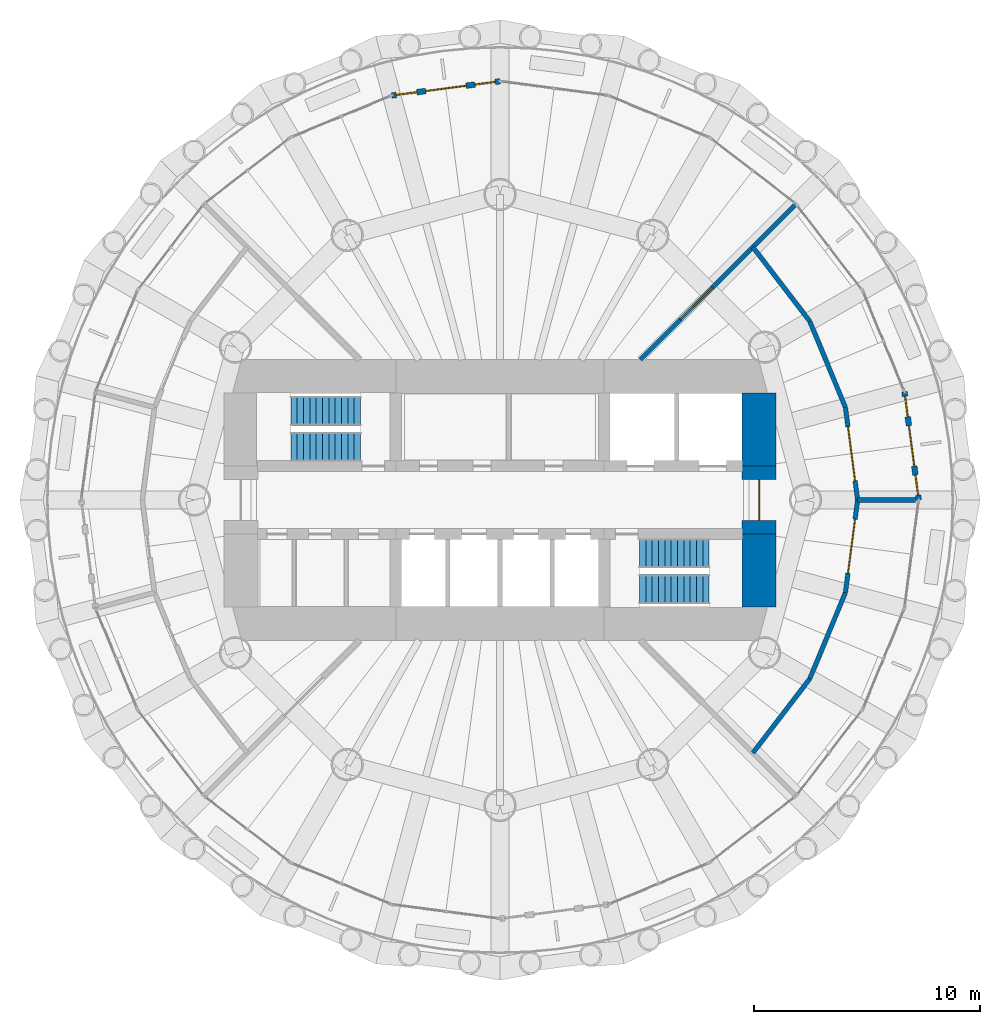
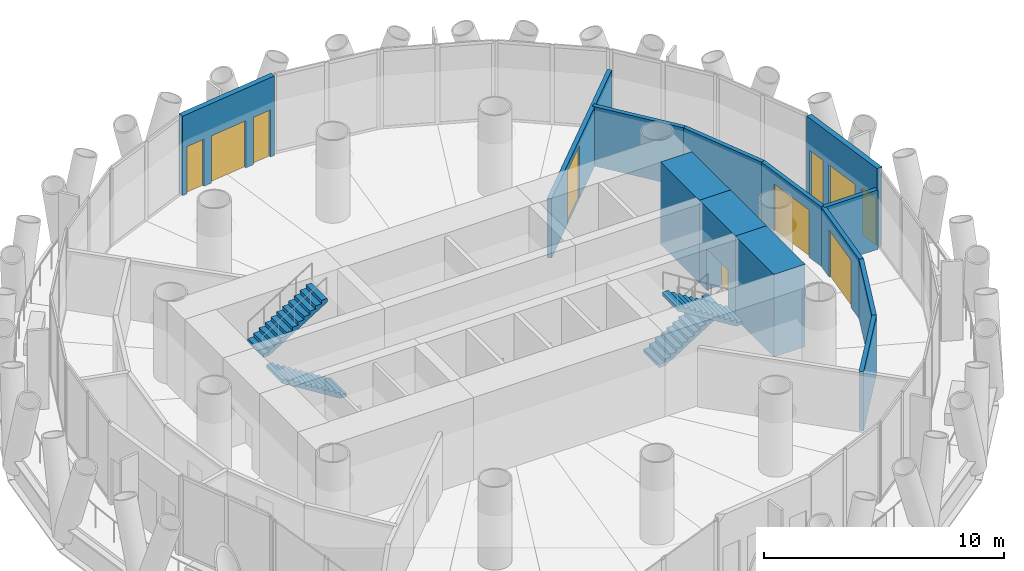
# One storey, part 9 of 12: 13 walls, 6 doors, 4 stair flights, 4 windows, 10 openings, 2 elements without a shape of their own.
"""IFC4 building model written with IfcOpenShell, lengths in metres."""

from ifc_helpers import new_model, si_unit, direction, frame, frame_2d, origin, place, context, subcontext, project, spatial, polyline, rectangle, outline, extrude, material, layer, layer_set, type_object, element, fill, aggregate, save


model = new_model("IFC4")

# Units and contexts
model_context = context("Model", 3, precision=1e-05, world=origin(), true_north=direction((0.0, 1.0)))
body_context = subcontext(model_context, "Body", "Model", "MODEL_VIEW")
ifc_project = project(units=[si_unit("LENGTHUNIT", "METRE"), si_unit("AREAUNIT", "SQUARE_METRE"), si_unit("VOLUMEUNIT", "CUBIC_METRE"), si_unit("PLANEANGLEUNIT", "RADIAN"), si_unit("MASSUNIT", "GRAM", prefix="KILO")], contexts=[model_context])

# Site, building, storey
site_placement = place(None, origin())
site = spatial("IfcSite", under=ifc_project, at=site_placement, CompositionType="ELEMENT")
building_placement = place(site_placement, origin())
building = spatial("IfcBuilding", under=site, at=building_placement, Name="Qaws Media Tower", CompositionType="ELEMENT")
storey_placement = place(building_placement, frame((0.0, 0.0, 278.0)))
storey = spatial("IfcBuildingStorey", under=building, at=storey_placement, Name="L64", CompositionType="ELEMENT", Elevation=278.0)

# Wall, openings, door, windows
ifc_material_1 = material(Name="Precast concrete, exposed finish", Category="concrete")
ifc_layer_1 = layer(ifc_material_1, 0.25)
ifc_layer_set_1 = layer_set([ifc_layer_1], Name="Balcony door wall 250")
wall_type_1 = type_object("IfcWallType", Name="Balcony door wall 250", PredefinedType="SOLIDWALL", material=ifc_layer_set_1)
wall_1_placement = place(storey_placement, frame((78.5, 50.0, 0.0), z_axis=(0.0, 0.0, 1.0), x_axis=(-0.130527743461, 0.991444657148, 0.0)))
wall_1 = element("IfcWall", 1, at=wall_1_placement, inside=storey, type_object=wall_type_1, Name="W295 EW1 balcony door wall L64-01", PredefinedType="SOLIDWALL", context=body_context, shape_type="SweptSolid", body=[
    extrude(rectangle(XDim=4.829345703125, YDim=0.25, at=frame_2d((2.41455078125, 0.0))), origin(), (0.0, 0.0, 1.0), 4.0400390625),
])
opening_1_placement = place(wall_1_placement, frame((1.5146484375, 0.0, 0.0)))
opening_1 = element("IfcOpeningElement", 2, at=opening_1_placement, cuts=wall_1, Name="Opening D7", PredefinedType="OPENING", context=body_context, shape_type="SweptSolid", body=[
    extrude(rectangle(XDim=1.800048828125, YDim=2.39990234375, at=frame_2d((0.89990234375, 1.199951171875))), frame((0.0, 0.135009765625, 0.0), z_axis=(0.0, -1.0, 0.0), x_axis=(1.0, 0.0, 0.0)), (0.0, 0.0, 1.0), 0.27001953125),
])
opening_2_placement = place(wall_1_placement, frame((0.21484375, 0.0, 0.0)))
opening_2 = element("IfcOpeningElement", 3, at=opening_2_placement, cuts=wall_1, Name="Opening W7", PredefinedType="OPENING", context=body_context, shape_type="SweptSolid", body=[
    extrude(rectangle(XDim=0.89990234375, YDim=2.39990234375, at=frame_2d((0.449951171875, 1.199951171875))), frame((0.0, 0.135009765625, 0.0), z_axis=(0.0, -1.0, 0.0), x_axis=(1.0, 0.0, 0.0)), (0.0, 0.0, 1.0), 0.27001953125),
])
opening_3_placement = place(wall_1_placement, frame((3.71484375, 0.0, 0.0)))
opening_3 = element("IfcOpeningElement", 4, at=opening_3_placement, cuts=wall_1, Name="Opening W7", PredefinedType="OPENING", context=body_context, shape_type="SweptSolid", body=[
    extrude(rectangle(XDim=0.89990234375, YDim=2.39990234375, at=frame_2d((0.449951171875, 1.199951171875))), frame((0.0, 0.135009765625, 0.0), z_axis=(0.0, -1.0, 0.0), x_axis=(1.0, 0.0, 0.0)), (0.0, 0.0, 1.0), 0.27001953125),
])
ifc_material_2 = material(Name="Aluminium and clear glass", Category="aluminium")
door_type_1 = type_object("IfcDoorType", Name="Balcony door pair 1800", OperationType="DOUBLE_DOOR_SLIDING", PredefinedType="DOOR", material=ifc_material_2)
door_1_placement = place(opening_1_placement, origin())
door_1 = element("IfcDoor", 5, at=door_1_placement, inside=storey, type_object=door_type_1, Name="D7 balcony door L64-01 in wall W295", OperationType="DOUBLE_DOOR_SLIDING", OverallHeight=2.39990234375, OverallWidth=1.800048828125, PredefinedType="DOOR", context=body_context, shape_type="SweptSolid", body=[
    extrude(rectangle(XDim=1.800048828125, YDim=2.39990234375, at=frame_2d((0.89990234375, 1.199951171875))), frame((0.0, 0.02490234375, 0.0), z_axis=(0.0, -1.0, 0.0), x_axis=(1.0, 0.0, 0.0)), (0.0, 0.0, 1.0), 0.050048828125),
])
fill(opening_1, door_1)
ifc_material_3 = material(Name="Aluminium and clear glass", Category="aluminium")
window_type = type_object("IfcWindowType", Name="Balcony side window 900", PartitioningType="SINGLE_PANEL", PredefinedType="WINDOW", material=ifc_material_3)
window_1_placement = place(opening_2_placement, origin())
window_1 = element("IfcWindow", 6, at=window_1_placement, inside=storey, type_object=window_type, Name="W1 balcony side light L64-01L", OverallHeight=2.39990234375, OverallWidth=0.89990234375, PartitioningType="SINGLE_PANEL", PredefinedType="WINDOW", context=body_context, shape_type="SweptSolid", body=[
    extrude(rectangle(XDim=0.89990234375, YDim=2.39990234375, at=frame_2d((0.449951171875, 1.199951171875))), frame((0.0, 0.030029296875, 0.0), z_axis=(0.0, -1.0, 0.0), x_axis=(1.0, 0.0, 0.0)), (0.0, 0.0, 1.0), 0.06005859375),
])
fill(opening_2, window_1)
window_2_placement = place(opening_3_placement, origin())
window_2 = element("IfcWindow", 7, at=window_2_placement, inside=storey, type_object=window_type, Name="W1 balcony side light L64-01R", OverallHeight=2.39990234375, OverallWidth=0.89990234375, PartitioningType="SINGLE_PANEL", PredefinedType="WINDOW", context=body_context, shape_type="SweptSolid", body=[
    extrude(rectangle(XDim=0.89990234375, YDim=2.39990234375, at=frame_2d((0.449951171875, 1.199951171875))), frame((0.0, 0.030029296875, 0.0), z_axis=(0.0, -1.0, 0.0), x_axis=(1.0, 0.0, 0.0)), (0.0, 0.0, 1.0), 0.06005859375),
])
fill(opening_3, window_2)

wall_2_placement = place(storey_placement, frame((60.0, 68.5, 0.0), z_axis=(0.0, 0.0, 1.0), x_axis=(-0.991444657148, -0.130527743461, 0.0)))
wall_2 = element("IfcWall", 8, at=wall_2_placement, inside=storey, type_object=wall_type_1, Name="W294 EW1 balcony door wall L64-07", PredefinedType="SOLIDWALL", context=body_context, shape_type="SweptSolid", body=[
    extrude(rectangle(XDim=4.829345703125, YDim=0.25, at=frame_2d((2.41455078125, 0.0))), origin(), (0.0, 0.0, 1.0), 4.0400390625),
])
opening_4_placement = place(wall_2_placement, frame((1.5146484375, 0.0, 0.0)))
opening_4 = element("IfcOpeningElement", 9, at=opening_4_placement, cuts=wall_2, Name="Opening D7", PredefinedType="OPENING", context=body_context, shape_type="SweptSolid", body=[
    extrude(rectangle(XDim=1.800048828125, YDim=2.39990234375, at=frame_2d((0.89990234375, 1.199951171875))), frame((0.0, 0.135009765625, 0.0), z_axis=(0.0, -1.0, 0.0), x_axis=(1.0, 0.0, 0.0)), (0.0, 0.0, 1.0), 0.27001953125),
])
opening_5_placement = place(wall_2_placement, frame((0.21484375, 0.0, 0.0)))
opening_5 = element("IfcOpeningElement", 10, at=opening_5_placement, cuts=wall_2, Name="Opening W7", PredefinedType="OPENING", context=body_context, shape_type="SweptSolid", body=[
    extrude(rectangle(XDim=0.89990234375, YDim=2.39990234375, at=frame_2d((0.449951171875, 1.199951171875))), frame((0.0, 0.135009765625, 0.0), z_axis=(0.0, -1.0, 0.0), x_axis=(1.0, 0.0, 0.0)), (0.0, 0.0, 1.0), 0.27001953125),
])
opening_6_placement = place(wall_2_placement, frame((3.71484375, 0.0, 0.0)))
opening_6 = element("IfcOpeningElement", 11, at=opening_6_placement, cuts=wall_2, Name="Opening W7", PredefinedType="OPENING", context=body_context, shape_type="SweptSolid", body=[
    extrude(rectangle(XDim=0.89990234375, YDim=2.39990234375, at=frame_2d((0.449951171875, 1.199951171875))), frame((0.0, 0.135009765625, 0.0), z_axis=(0.0, -1.0, 0.0), x_axis=(1.0, 0.0, 0.0)), (0.0, 0.0, 1.0), 0.27001953125),
])
door_2_placement = place(opening_4_placement, origin())
door_2 = element("IfcDoor", 12, at=door_2_placement, inside=storey, type_object=door_type_1, Name="D7 balcony door L64-07 in wall W294", OperationType="DOUBLE_DOOR_SLIDING", OverallHeight=2.39990234375, OverallWidth=1.800048828125, PredefinedType="DOOR", context=body_context, shape_type="SweptSolid", body=[
    extrude(rectangle(XDim=1.800048828125, YDim=2.39990234375, at=frame_2d((0.89990234375, 1.199951171875))), frame((0.0, 0.02490234375, 0.0), z_axis=(0.0, -1.0, 0.0), x_axis=(1.0, 0.0, 0.0)), (0.0, 0.0, 1.0), 0.050048828125),
])
fill(opening_4, door_2)
window_3_placement = place(opening_5_placement, origin())
window_3 = element("IfcWindow", 13, at=window_3_placement, inside=storey, type_object=window_type, Name="W1 balcony side light L64-07L", OverallHeight=2.39990234375, OverallWidth=0.89990234375, PartitioningType="SINGLE_PANEL", PredefinedType="WINDOW", context=body_context, shape_type="SweptSolid", body=[
    extrude(rectangle(XDim=0.89990234375, YDim=2.39990234375, at=frame_2d((0.449951171875, 1.199951171875))), frame((0.0, 0.030029296875, 0.0), z_axis=(0.0, -1.0, 0.0), x_axis=(1.0, 0.0, 0.0)), (0.0, 0.0, 1.0), 0.06005859375),
])
fill(opening_5, window_3)
window_4_placement = place(opening_6_placement, origin())
window_4 = element("IfcWindow", 14, at=window_4_placement, inside=storey, type_object=window_type, Name="W1 balcony side light L64-07R", OverallHeight=2.39990234375, OverallWidth=0.89990234375, PartitioningType="SINGLE_PANEL", PredefinedType="WINDOW", context=body_context, shape_type="SweptSolid", body=[
    extrude(rectangle(XDim=0.89990234375, YDim=2.39990234375, at=frame_2d((0.449951171875, 1.199951171875))), frame((0.0, 0.030029296875, 0.0), z_axis=(0.0, -1.0, 0.0), x_axis=(1.0, 0.0, 0.0)), (0.0, 0.0, 1.0), 0.06005859375),
])
fill(opening_6, window_4)

# Wall
ifc_material_4 = material(Name="Concrete C60/75", Category="concrete")
ifc_layer_2 = layer(ifc_material_4, 1.5)
ifc_layer_set_2 = layer_set([ifc_layer_2], Name="Core wall 1500")
wall_type_2 = type_object("IfcWallType", Name="Core wall 1500", PredefinedType="SHEAR", material=ifc_layer_set_2)
wall_3_placement = place(storey_placement, frame((71.449951171875, 45.280029296875, 0.0), z_axis=(0.0, 0.0, 1.0), x_axis=(0.0, 1.0, 0.0)))
element("IfcWall", 15, at=wall_3_placement, inside=storey, type_object=wall_type_2, Name="W383 SW13 core wall ES L64", PredefinedType="SHEAR", context=body_context, shape_type="SweptSolid", body=[
    extrude(rectangle(XDim=3.219970703125, YDim=1.5, at=frame_2d((1.60986328125, 0.0))), origin(), (0.0, 0.0, 1.0), 4.199951171875),
])

# Wall, opening, door
wall_4_placement = place(storey_placement, frame((71.449951171875, 48.5, 0.0), z_axis=(0.0, 0.0, 1.0), x_axis=(0.0, 1.0, 0.0)))
wall_4 = element("IfcWall", 16, at=wall_4_placement, inside=storey, type_object=wall_type_2, Name="W384 SW13 core wall E L64", PredefinedType="SHEAR", context=body_context, shape_type="SweptSolid", body=[
    extrude(rectangle(XDim=3.0, YDim=1.5, at=frame_2d((1.5, 0.0))), origin(), (0.0, 0.0, 1.0), 4.199951171875),
])
opening_7_placement = place(wall_4_placement, frame((0.60009765625, 0.0, 0.0)))
opening_7 = element("IfcOpeningElement", 17, at=opening_7_placement, cuts=wall_4, Name="Opening D2", PredefinedType="OPENING", context=body_context, shape_type="SweptSolid", body=[
    extrude(rectangle(XDim=1.800048828125, YDim=2.10009765625, at=frame_2d((0.89990234375, 1.050048828125))), frame((0.0, 0.760009765625, 0.0), z_axis=(0.0, -1.0, 0.0), x_axis=(1.0, 0.0, 0.0)), (0.0, 0.0, 1.0), 1.52001953125),
])
ifc_material_5 = material(Name="Steel and glass, fire rated", Category="steel")
door_type_2 = type_object("IfcDoorType", Name="Lobby door pair 1800 FD60", OperationType="DOUBLE_DOOR_DOUBLE_SWING", PredefinedType="DOOR", material=ifc_material_5)
door_3_placement = place(opening_7_placement, origin())
door_3 = element("IfcDoor", 18, at=door_3_placement, inside=storey, type_object=door_type_2, Name="D2 core lobby door E L64 in wall W384", OperationType="DOUBLE_DOOR_DOUBLE_SWING", OverallHeight=2.10009765625, OverallWidth=1.800048828125, PredefinedType="DOOR", context=body_context, shape_type="SweptSolid", body=[
    extrude(rectangle(XDim=1.800048828125, YDim=2.10009765625, at=frame_2d((0.89990234375, 1.050048828125))), frame((0.0, 0.02490234375, 0.0), z_axis=(0.0, -1.0, 0.0), x_axis=(1.0, 0.0, 0.0)), (0.0, 0.0, 1.0), 0.050048828125),
])
fill(opening_7, door_3)

# Walls
wall_5_placement = place(storey_placement, frame((71.449951171875, 51.5, 0.0), z_axis=(0.0, 0.0, 1.0), x_axis=(0.0, 1.0, 0.0)))
element("IfcWall", 19, at=wall_5_placement, inside=storey, type_object=wall_type_2, Name="W385 SW13 core wall EN L64", PredefinedType="SHEAR", context=body_context, shape_type="SweptSolid", body=[
    extrude(rectangle(XDim=3.219970703125, YDim=1.5, at=frame_2d((1.60986328125, 0.0))), origin(), (0.0, 0.0, 1.0), 4.199951171875),
])
ifc_material_6 = material(Name="Gypsum board on galvanised metal studs, acoustic double stud, deflection head", Category="gypsum")
ifc_layer_3 = layer(ifc_material_6, 0.199951171875)
ifc_layer_set_3 = layer_set([ifc_layer_3], Name="Room partition 200")
wall_type_3 = type_object("IfcWallType", Name="Room partition 200", PredefinedType="PARTITIONING", material=ifc_layer_set_3)
wall_6_placement = place(storey_placement, frame((71.17236328125, 61.17236328125, 0.0), z_axis=(0.0, 0.0, 1.0), x_axis=(0.608714823874, -0.793389099494, 0.0)))
element("IfcWall", 20, at=wall_6_placement, inside=storey, type_object=wall_type_3, Name="W1729 IW3 partition L64", PredefinedType="PARTITIONING", context=body_context, shape_type="SweptSolid", body=[
    extrude(rectangle(XDim=4.124755859375, YDim=0.199951171875, at=frame_2d((2.0625, 0.0))), origin(), (0.0, 0.0, 1.0), 3.02001953125),
])
wall_7_placement = place(storey_placement, frame((73.68310546875, 57.89990234375, 0.0), z_axis=(0.0, 0.0, 1.0), x_axis=(0.382731667114, -0.923859551549, 0.0)))
element("IfcWall", 21, at=wall_7_placement, inside=storey, type_object=wall_type_3, Name="W1731 IW3 partition L64", PredefinedType="PARTITIONING", context=body_context, shape_type="SweptSolid", body=[
    extrude(rectangle(XDim=4.12451171875, YDim=0.199951171875, at=frame_2d((2.062255859375, 0.0))), origin(), (0.0, 0.0, 1.0), 3.02001953125),
])

# Wall, opening, door
wall_8_placement = place(storey_placement, frame((75.26171875, 54.08935546875, 0.0), z_axis=(0.0, 0.0, 1.0), x_axis=(0.130515758099, -0.991446234996, 0.0)))
wall_8 = element("IfcWall", 22, at=wall_8_placement, inside=storey, type_object=wall_type_3, Name="W1733 IW3 partition L64", PredefinedType="PARTITIONING", context=body_context, shape_type="SweptSolid", body=[
    extrude(rectangle(XDim=4.124755859375, YDim=0.199951171875, at=frame_2d((2.0625, 0.0))), origin(), (0.0, 0.0, 1.0), 3.02001953125),
])
opening_8_placement = place(wall_8_placement, frame((0.8623046875, 0.0, 0.0)))
opening_8 = element("IfcOpeningElement", 23, at=opening_8_placement, cuts=wall_8, Name="Opening D17", PredefinedType="OPENING", context=body_context, shape_type="SweptSolid", body=[
    extrude(rectangle(XDim=2.39990234375, YDim=2.39990234375, at=frame_2d((1.199951171875, 1.199951171875))), frame((0.0, 0.10986328125, 0.0), z_axis=(0.0, -1.0, 0.0), x_axis=(1.0, 0.0, 0.0)), (0.0, 0.0, 1.0), 0.219970703125),
])
ifc_material_7 = material(Name="Timber veneered, panic hardware", Category="wood")
door_type_3 = type_object("IfcDoorType", Name="Assembly room door pair 2400x2400", OperationType="DOUBLE_DOOR_DOUBLE_SWING", PredefinedType="DOOR", material=ifc_material_7)
door_4_placement = place(opening_8_placement, origin())
door_4 = element("IfcDoor", 24, at=door_4_placement, inside=storey, type_object=door_type_3, Name="D17 Guest lounge door L64 in wall W1733", OperationType="DOUBLE_DOOR_DOUBLE_SWING", OverallHeight=2.39990234375, OverallWidth=2.39990234375, PredefinedType="DOOR", context=body_context, shape_type="SweptSolid", body=[
    extrude(rectangle(XDim=2.39990234375, YDim=2.39990234375, at=frame_2d((1.199951171875, 1.199951171875))), frame((0.0, 0.02490234375, 0.0), z_axis=(0.0, -1.0, 0.0), x_axis=(1.0, 0.0, 0.0)), (0.0, 0.0, 1.0), 0.050048828125),
])
fill(opening_8, door_4)

wall_9_placement = place(storey_placement, frame((75.800048828125, 50.0, 0.0), z_axis=(0.0, 0.0, 1.0), x_axis=(-0.130515758099, -0.991446234996, 0.0)))
wall_9 = element("IfcWall", 25, at=wall_9_placement, inside=storey, type_object=wall_type_3, Name="W1734 IW3 partition L64", PredefinedType="PARTITIONING", context=body_context, shape_type="SweptSolid", body=[
    extrude(rectangle(XDim=4.124755859375, YDim=0.199951171875, at=frame_2d((2.0625, 0.0))), origin(), (0.0, 0.0, 1.0), 3.02001953125),
])
opening_9_placement = place(wall_9_placement, frame((0.8623046875, 0.0, 0.0)))
opening_9 = element("IfcOpeningElement", 26, at=opening_9_placement, cuts=wall_9, Name="Opening D17", PredefinedType="OPENING", context=body_context, shape_type="SweptSolid", body=[
    extrude(rectangle(XDim=2.39990234375, YDim=2.39990234375, at=frame_2d((1.199951171875, 1.199951171875))), frame((0.0, 0.10986328125, 0.0), z_axis=(0.0, -1.0, 0.0), x_axis=(1.0, 0.0, 0.0)), (0.0, 0.0, 1.0), 0.219970703125),
])
door_5_placement = place(opening_9_placement, origin())
door_5 = element("IfcDoor", 27, at=door_5_placement, inside=storey, type_object=door_type_3, Name="D17 Cigar and coffee lounge door L64 in wall W1734", OperationType="DOUBLE_DOOR_DOUBLE_SWING", OverallHeight=2.39990234375, OverallWidth=2.39990234375, PredefinedType="DOOR", context=body_context, shape_type="SweptSolid", body=[
    extrude(rectangle(XDim=2.39990234375, YDim=2.39990234375, at=frame_2d((1.199951171875, 1.199951171875))), frame((0.0, 0.02490234375, 0.0), z_axis=(0.0, -1.0, 0.0), x_axis=(1.0, 0.0, 0.0)), (0.0, 0.0, 1.0), 0.050048828125),
])
fill(opening_9, door_5)

# Walls
wall_10_placement = place(storey_placement, frame((75.26171875, 45.91064453125, 0.0), z_axis=(0.0, 0.0, 1.0), x_axis=(-0.382731667114, -0.923859551549, 0.0)))
element("IfcWall", 28, at=wall_10_placement, inside=storey, type_object=wall_type_3, Name="W1732 IW3 partition L64", PredefinedType="PARTITIONING", context=body_context, shape_type="SweptSolid", body=[
    extrude(rectangle(XDim=4.12451171875, YDim=0.199951171875, at=frame_2d((2.062255859375, 0.0))), origin(), (0.0, 0.0, 1.0), 3.02001953125),
])
wall_11_placement = place(storey_placement, frame((73.68310546875, 42.10009765625, 0.0), z_axis=(0.0, 0.0, 1.0), x_axis=(-0.608714823874, -0.793389099494, 0.0)))
element("IfcWall", 29, at=wall_11_placement, inside=storey, type_object=wall_type_3, Name="W1730 IW3 partition L64", PredefinedType="PARTITIONING", context=body_context, shape_type="SweptSolid", body=[
    extrude(rectangle(XDim=4.124755859375, YDim=0.199951171875, at=frame_2d((2.0625, 0.0))), origin(), (0.0, 0.0, 1.0), 3.02001953125),
])
wall_12_placement = place(storey_placement, frame((75.800048828125, 50.0, 0.0), z_axis=(0.0, 0.0, 1.0), x_axis=(1.0, 0.0, 0.0)))
element("IfcWall", 30, at=wall_12_placement, inside=storey, type_object=wall_type_3, Name="W1782 IW3 partition L64", PredefinedType="PARTITIONING", context=body_context, shape_type="SweptSolid", body=[
    extrude(rectangle(XDim=2.56005859375, YDim=0.199951171875, at=frame_2d((1.280029296875, 0.0))), origin(), (0.0, 0.0, 1.0), 3.02001953125),
])

# Wall, opening, door
wall_13_placement = place(storey_placement, frame((66.199951171875, 56.199951171875, 0.0), z_axis=(0.0, 0.0, 1.0), x_axis=(0.707106781187, 0.707106781187, 0.0)))
wall_13 = element("IfcWall", 31, at=wall_13_placement, inside=storey, type_object=wall_type_3, Name="W1781 IW3 partition L64", PredefinedType="PARTITIONING", context=body_context, shape_type="SweptSolid", body=[
    extrude(rectangle(XDim=9.69189453125, YDim=0.199951171875, at=frame_2d((4.845947265625, 0.0))), origin(), (0.0, 0.0, 1.0), 3.02001953125),
])
opening_10_placement = place(wall_13_placement, frame((2.515869140625, 0.0, 0.0)))
opening_10 = element("IfcOpeningElement", 32, at=opening_10_placement, cuts=wall_13, Name="Opening D22", PredefinedType="OPENING", context=body_context, shape_type="SweptSolid", body=[
    extrude(rectangle(XDim=2.0, YDim=2.699951171875, at=frame_2d((1.0, 1.35009765625))), frame((0.0, 0.10986328125, 0.0), z_axis=(0.0, -1.0, 0.0), x_axis=(1.0, 0.0, 0.0)), (0.0, 0.0, 1.0), 0.219970703125),
])
ifc_material_8 = material(Name="Timber veneered, acoustic seals", Category="wood")
door_type_4 = type_object("IfcDoorType", Name="Boardroom door pair 2000x2700", OperationType="DOUBLE_DOOR_DOUBLE_SWING", PredefinedType="DOOR", material=ifc_material_8)
door_6_placement = place(opening_10_placement, origin())
door_6 = element("IfcDoor", 33, at=door_6_placement, inside=storey, type_object=door_type_4, Name="D22 Executive dining room door L64 in wall W1781", OperationType="DOUBLE_DOOR_DOUBLE_SWING", OverallHeight=2.699951171875, OverallWidth=2.0, PredefinedType="DOOR", context=body_context, shape_type="SweptSolid", body=[
    extrude(rectangle(XDim=2.0, YDim=2.699951171875, at=frame_2d((1.0, 1.35009765625))), frame((0.0, 0.02490234375, 0.0), z_axis=(0.0, -1.0, 0.0), x_axis=(1.0, 0.0, 0.0)), (0.0, 0.0, 1.0), 0.050048828125),
])
fill(opening_10, door_6)

# Stair, stair flights
ifc_material_9 = material(Name="Concrete C40/50", Category="concrete")
stair_type = type_object("IfcStairType", Name="Exit stair", PredefinedType="HALF_TURN_STAIR", material=ifc_material_9)
stair_1_placement = place(storey_placement, origin())
stair_1 = element("IfcStair", 34, at=stair_1_placement, inside=storey, type_object=stair_type, Name="S1 exit stair L64", PredefinedType="HALF_TURN_STAIR")
ifc_material_10 = material(Name="Concrete C40/50", Category="concrete")
stair_flight_type = type_object("IfcStairFlightType", Name="Stair flight 1310", PredefinedType="STRAIGHT", material=ifc_material_10)
stair_flight_1_placement = place(storey_placement, frame((53.840087890625, 52.35498046875, 0.0), z_axis=(0.0, 0.0, 1.0), x_axis=(-1.0, 0.0, 0.0)))
stair_flight_1 = element("IfcStairFlight", 35, at=stair_flight_1_placement, type_object=stair_flight_type, Name="S1 flight 1", NumberOfRisers=12, NumberOfTreads=11, PredefinedType="STRAIGHT", RiserHeight=0.175, TreadLength=0.28, context=body_context, shape_type="SweptSolid", body=[
    extrude(outline(polyline([(0.0, 0.0), (0.0, 0.175048828125), (0.280029296875, 0.175048828125), (0.280029296875, 0.35009765625), (0.56005859375, 0.35009765625), (0.56005859375, 0.52490234375), (0.840087890625, 0.52490234375), (0.840087890625, 0.699951171875), (1.1201171875, 0.699951171875), (1.1201171875, 0.875), (1.39990234375, 0.875), (1.39990234375, 1.050048828125), (1.679931640625, 1.050048828125), (1.679931640625, 1.22509765625), (1.9599609375, 1.22509765625), (1.9599609375, 1.39990234375), (2.239990234375, 1.39990234375), (2.239990234375, 1.574951171875), (2.52001953125, 1.574951171875), (2.52001953125, 1.75), (2.800048828125, 1.75), (2.800048828125, 1.925048828125), (3.080078125, 1.925048828125), (3.080078125, 2.10009765625), (3.080078125, 1.748291015625), (0.28271484375, 0.0), (0.0, 0.0)])), frame((0.0, 0.655029296875, 0.0), z_axis=(0.0, -1.0, 0.0), x_axis=(1.0, 0.0, 0.0)), (0.0, 0.0, 1.0), 1.31005859375),
])
stair_flight_2_placement = place(storey_placement, frame((50.760009765625, 53.945068359375, 2.10009765625), z_axis=(0.0, 0.0, 1.0), x_axis=(1.0, 0.0, 0.0)))
stair_flight_2 = element("IfcStairFlight", 36, at=stair_flight_2_placement, type_object=stair_flight_type, Name="S1 flight 2", NumberOfRisers=12, NumberOfTreads=11, PredefinedType="STRAIGHT", RiserHeight=0.175, TreadLength=0.28, context=body_context, shape_type="SweptSolid", body=[
    extrude(outline(polyline([(0.0, 0.0), (0.0, 0.175048828125), (0.280029296875, 0.175048828125), (0.280029296875, 0.35009765625), (0.56005859375, 0.35009765625), (0.56005859375, 0.52490234375), (0.840087890625, 0.52490234375), (0.840087890625, 0.699951171875), (1.1201171875, 0.699951171875), (1.1201171875, 0.875), (1.39990234375, 0.875), (1.39990234375, 1.050048828125), (1.679931640625, 1.050048828125), (1.679931640625, 1.22509765625), (1.9599609375, 1.22509765625), (1.9599609375, 1.39990234375), (2.239990234375, 1.39990234375), (2.239990234375, 1.574951171875), (2.52001953125, 1.574951171875), (2.52001953125, 1.75), (2.800048828125, 1.75), (2.800048828125, 1.925048828125), (3.080078125, 1.925048828125), (3.080078125, 2.10009765625), (3.080078125, 1.748291015625), (0.28271484375, 0.0), (0.0, 0.0)])), frame((0.0, 0.655029296875, 0.0), z_axis=(0.0, -1.0, 0.0), x_axis=(1.0, 0.0, 0.0)), (0.0, 0.0, 1.0), 1.31005859375),
])
aggregate(stair_1, [stair_flight_1, stair_flight_2])

stair_2_placement = place(storey_placement, origin())
stair_2 = element("IfcStair", 37, at=stair_2_placement, inside=storey, type_object=stair_type, Name="S2 exit stair L64", PredefinedType="HALF_TURN_STAIR")
stair_flight_3_placement = place(storey_placement, frame((66.159912109375, 47.64501953125, 0.0), z_axis=(0.0, 0.0, 1.0), x_axis=(1.0, 0.0, 0.0)))
stair_flight_3 = element("IfcStairFlight", 38, at=stair_flight_3_placement, type_object=stair_flight_type, Name="S2 flight 1", NumberOfRisers=12, NumberOfTreads=11, PredefinedType="STRAIGHT", RiserHeight=0.175, TreadLength=0.28, context=body_context, shape_type="SweptSolid", body=[
    extrude(outline(polyline([(0.0, 0.0), (0.0, 0.175048828125), (0.280029296875, 0.175048828125), (0.280029296875, 0.35009765625), (0.56005859375, 0.35009765625), (0.56005859375, 0.52490234375), (0.840087890625, 0.52490234375), (0.840087890625, 0.699951171875), (1.1201171875, 0.699951171875), (1.1201171875, 0.875), (1.39990234375, 0.875), (1.39990234375, 1.050048828125), (1.679931640625, 1.050048828125), (1.679931640625, 1.22509765625), (1.9599609375, 1.22509765625), (1.9599609375, 1.39990234375), (2.239990234375, 1.39990234375), (2.239990234375, 1.574951171875), (2.52001953125, 1.574951171875), (2.52001953125, 1.75), (2.800048828125, 1.75), (2.800048828125, 1.925048828125), (3.080078125, 1.925048828125), (3.080078125, 2.10009765625), (3.080078125, 1.748291015625), (0.28271484375, 0.0), (0.0, 0.0)])), frame((0.0, 0.655029296875, 0.0), z_axis=(0.0, -1.0, 0.0), x_axis=(1.0, 0.0, 0.0)), (0.0, 0.0, 1.0), 1.31005859375),
])
stair_flight_4_placement = place(storey_placement, frame((69.239990234375, 46.054931640625, 2.10009765625), z_axis=(0.0, 0.0, 1.0), x_axis=(-1.0, 0.0, 0.0)))
stair_flight_4 = element("IfcStairFlight", 39, at=stair_flight_4_placement, type_object=stair_flight_type, Name="S2 flight 2", NumberOfRisers=12, NumberOfTreads=11, PredefinedType="STRAIGHT", RiserHeight=0.175, TreadLength=0.28, context=body_context, shape_type="SweptSolid", body=[
    extrude(outline(polyline([(0.0, 0.0), (0.0, 0.175048828125), (0.280029296875, 0.175048828125), (0.280029296875, 0.35009765625), (0.56005859375, 0.35009765625), (0.56005859375, 0.52490234375), (0.840087890625, 0.52490234375), (0.840087890625, 0.699951171875), (1.1201171875, 0.699951171875), (1.1201171875, 0.875), (1.39990234375, 0.875), (1.39990234375, 1.050048828125), (1.679931640625, 1.050048828125), (1.679931640625, 1.22509765625), (1.9599609375, 1.22509765625), (1.9599609375, 1.39990234375), (2.239990234375, 1.39990234375), (2.239990234375, 1.574951171875), (2.52001953125, 1.574951171875), (2.52001953125, 1.75), (2.800048828125, 1.75), (2.800048828125, 1.925048828125), (3.080078125, 1.925048828125), (3.080078125, 2.10009765625), (3.080078125, 1.748291015625), (0.28271484375, 0.0), (0.0, 0.0)])), frame((0.0, 0.655029296875, 0.0), z_axis=(0.0, -1.0, 0.0), x_axis=(1.0, 0.0, 0.0)), (0.0, 0.0, 1.0), 1.31005859375),
])
aggregate(stair_2, [stair_flight_3, stair_flight_4])

save(model, "model.ifc")
